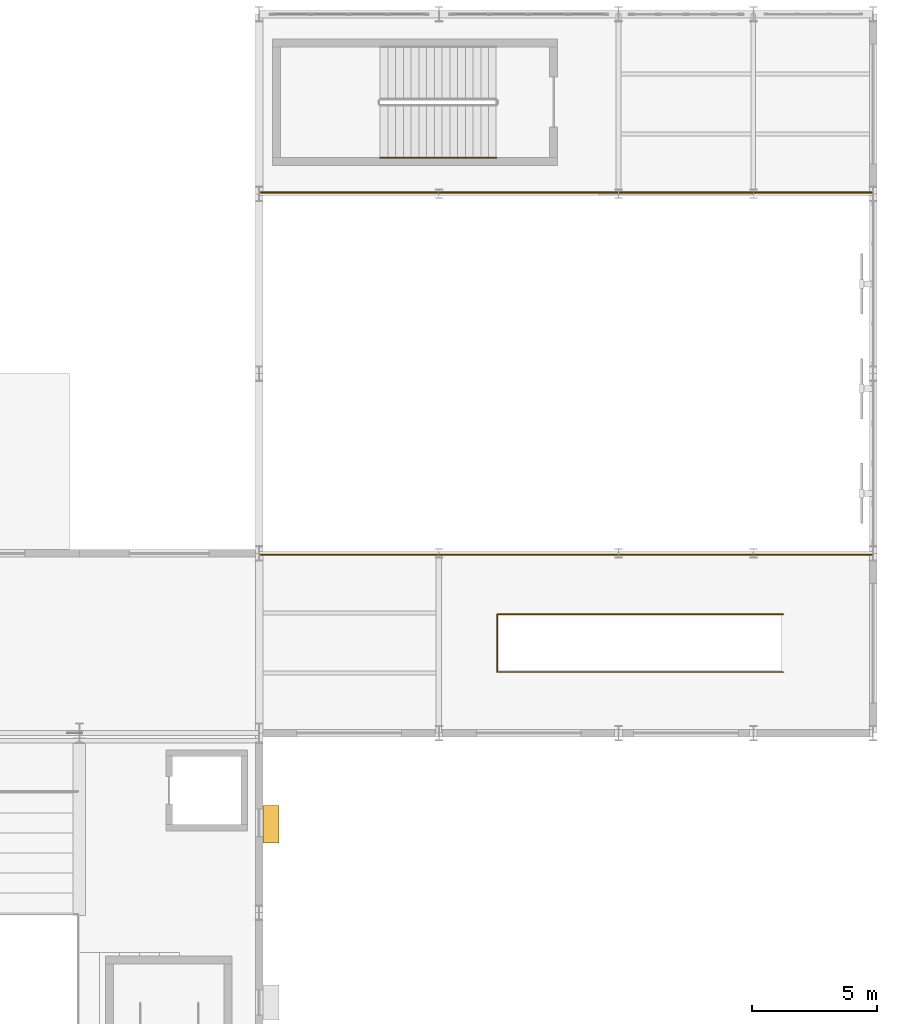
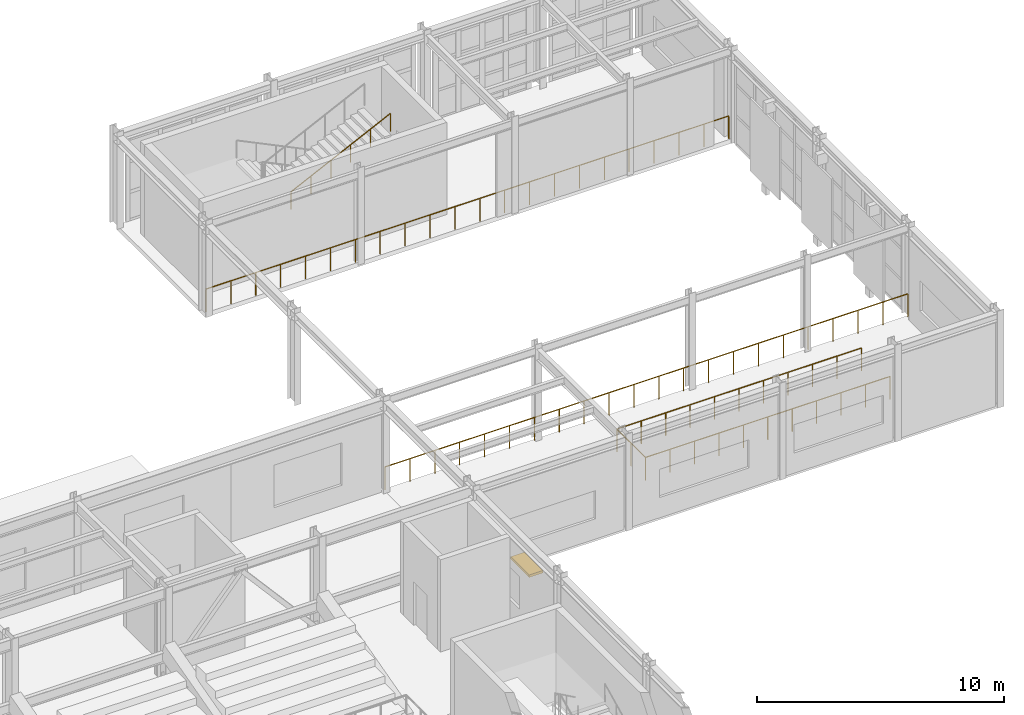
# One storey, part 120 of 121: 4 railings, 1 shading device.
"""IFC4 building model written with IfcOpenShell, lengths in metres."""

from ifc_helpers import new_model, si_unit, direction, frame, origin, origin_2d, place, context, subcontext, project, spatial, rectangle, circle, extrude, material, type_object, element, save


model = new_model("IFC4")

# Units and contexts
model_context = context("Model", 3, precision=1e-05, world=origin(), true_north=direction((0.0, 1.0)))
body_context = subcontext(model_context, "Body", "Model", "MODEL_VIEW")
ifc_project = project(units=[si_unit("LENGTHUNIT", "METRE"), si_unit("AREAUNIT", "SQUARE_METRE"), si_unit("VOLUMEUNIT", "CUBIC_METRE"), si_unit("PLANEANGLEUNIT", "RADIAN"), si_unit("MASSUNIT", "GRAM", prefix="KILO")], contexts=[model_context])

# Site, building, storey
site_placement = place(None, origin())
site = spatial("IfcSite", under=ifc_project, at=site_placement, CompositionType="ELEMENT")
building_placement = place(site_placement, origin())
building = spatial("IfcBuilding", under=site, at=building_placement, Name="Solvadek Multi-Sports Hall", CompositionType="ELEMENT")
storey_placement = place(building_placement, frame((0.0, 0.0, 4.800048828125)))
storey = spatial("IfcBuildingStorey", under=building, at=storey_placement, Name="L01", CompositionType="ELEMENT", Elevation=4.800048828125)

# Shading device
ifc_material_1 = material(Name="Perforated champagne-bronze anodised aluminium", Category="aluminium")
shading_device_type = type_object("IfcShadingDeviceType", Name="ENV-SHD-CHAJJA2", PredefinedType="JALOUSIE", material=ifc_material_1)
shading_device_placement = place(storey_placement, frame((137.26953125, 38.35009765625, 2.619873046875), z_axis=(0.0, 0.0, 1.0), x_axis=(0.0, 1.0, 0.0)))
element("IfcShadingDevice", 1, at=shading_device_placement, inside=storey, type_object=shading_device_type, Name="L01 Chajja Solar Shading Hood #63", PredefinedType="JALOUSIE", context=body_context, shape_type="SweptSolid", body=[
    extrude(rectangle(XDim=1.5, YDim=0.639892578125, at=origin_2d()), origin(), (0.0, 0.0, 1.0), 0.1201171875),
])

# Railings
ifc_material_2 = material(Name="Steel E250 (250 MPa)", Category="steel")
railing_type_1 = type_object("IfcRailingType", Name="INT-RAL-GRD115", PredefinedType="BALUSTRADE", material=ifc_material_2)
railing_1_placement = place(storey_placement, frame((157.800048828125, 44.43994140625, 0.0)))
element("IfcRailing", 2, at=railing_1_placement, inside=storey, type_object=railing_type_1, Name="L01 Void Edge Balustrade Guard #29", PredefinedType="BALUSTRADE", context=body_context, shape_type="SweptSolid", body=[
    extrude(circle(Radius=0.02392578125, at=origin_2d()), frame((0.0, 0.0, 1.1259765625), z_axis=(-1.0, 0.0, 0.0), x_axis=(0.0, -1.0, 0.0)), (0.0, 0.0, 1.0), 11.4599609375),
    extrude(circle(Radius=0.02392578125, at=origin_2d()), frame((-11.4599609375, 0.0, 1.1259765625), z_axis=(0.0, 1.0, 0.0), x_axis=(-1.0, 0.0, 0.0)), (0.0, 0.0, 1.0), 2.320068359375),
    extrude(circle(Radius=0.02392578125, at=origin_2d()), frame((-11.4599609375, 2.320068359375, 1.1259765625), z_axis=(1.0, 0.0, 0.0), x_axis=(0.0, 1.0, 0.0)), (0.0, 0.0, 1.0), 11.4599609375),
    extrude(circle(Radius=0.02099609375, at=origin_2d()), origin(), (0.0, 0.0, 1.0), 1.101806640625),
    extrude(circle(Radius=0.02099609375, at=origin_2d()), frame((-1.14599609375, 0.0, 0.0)), (0.0, 0.0, 1.0), 1.101806640625),
    extrude(circle(Radius=0.02099609375, at=origin_2d()), frame((-2.2919921875, 0.0, 0.0)), (0.0, 0.0, 1.0), 1.101806640625),
    extrude(circle(Radius=0.02099609375, at=origin_2d()), frame((-3.43798828125, 0.0, 0.0)), (0.0, 0.0, 1.0), 1.101806640625),
    extrude(circle(Radius=0.02099609375, at=origin_2d()), frame((-4.583984375, 0.0, 0.0)), (0.0, 0.0, 1.0), 1.101806640625),
    extrude(circle(Radius=0.02099609375, at=origin_2d()), frame((-5.72998046875, 0.0, 0.0)), (0.0, 0.0, 1.0), 1.101806640625),
    extrude(circle(Radius=0.02099609375, at=origin_2d()), frame((-6.8759765625, 0.0, 0.0)), (0.0, 0.0, 1.0), 1.101806640625),
    extrude(circle(Radius=0.02099609375, at=origin_2d()), frame((-8.02197265625, 0.0, 0.0)), (0.0, 0.0, 1.0), 1.101806640625),
    extrude(circle(Radius=0.02099609375, at=origin_2d()), frame((-9.16796875, 0.0, 0.0)), (0.0, 0.0, 1.0), 1.101806640625),
    extrude(circle(Radius=0.02099609375, at=origin_2d()), frame((-10.31396484375, 0.0, 0.0)), (0.0, 0.0, 1.0), 1.101806640625),
    extrude(circle(Radius=0.02099609375, at=origin_2d()), frame((-11.4599609375, 0.0, 0.0)), (0.0, 0.0, 1.0), 1.101806640625),
    extrude(circle(Radius=0.02099609375, at=origin_2d()), frame((-11.4599609375, 1.16015625, 0.0)), (0.0, 0.0, 1.0), 1.101806640625),
    extrude(circle(Radius=0.02099609375, at=origin_2d()), frame((-11.4599609375, 2.320068359375, 0.0)), (0.0, 0.0, 1.0), 1.101806640625),
    extrude(circle(Radius=0.02099609375, at=origin_2d()), frame((-10.31396484375, 2.320068359375, 0.0)), (0.0, 0.0, 1.0), 1.101806640625),
    extrude(circle(Radius=0.02099609375, at=origin_2d()), frame((-9.16796875, 2.320068359375, 0.0)), (0.0, 0.0, 1.0), 1.101806640625),
    extrude(circle(Radius=0.02099609375, at=origin_2d()), frame((-8.02197265625, 2.320068359375, 0.0)), (0.0, 0.0, 1.0), 1.101806640625),
    extrude(circle(Radius=0.02099609375, at=origin_2d()), frame((-6.8759765625, 2.320068359375, 0.0)), (0.0, 0.0, 1.0), 1.101806640625),
    extrude(circle(Radius=0.02099609375, at=origin_2d()), frame((-5.72998046875, 2.320068359375, 0.0)), (0.0, 0.0, 1.0), 1.101806640625),
    extrude(circle(Radius=0.02099609375, at=origin_2d()), frame((-4.583984375, 2.320068359375, 0.0)), (0.0, 0.0, 1.0), 1.101806640625),
    extrude(circle(Radius=0.02099609375, at=origin_2d()), frame((-3.43798828125, 2.320068359375, 0.0)), (0.0, 0.0, 1.0), 1.101806640625),
    extrude(circle(Radius=0.02099609375, at=origin_2d()), frame((-2.2919921875, 2.320068359375, 0.0)), (0.0, 0.0, 1.0), 1.101806640625),
    extrude(circle(Radius=0.02099609375, at=origin_2d()), frame((-1.14599609375, 2.320068359375, 0.0)), (0.0, 0.0, 1.0), 1.101806640625),
    extrude(circle(Radius=0.02099609375, at=origin_2d()), frame((0.0, 2.320068359375, 0.0)), (0.0, 0.0, 1.0), 1.101806640625),
])
railing_2_placement = place(storey_placement, frame((136.860107421875, 49.139892578125, 0.0)))
element("IfcRailing", 3, at=railing_2_placement, inside=storey, type_object=railing_type_1, Name="L01 Void Edge Balustrade Guard #54", PredefinedType="BALUSTRADE", context=body_context, shape_type="SweptSolid", body=[
    extrude(circle(Radius=0.02392578125, at=origin_2d()), frame((0.0, 0.0, 1.1259765625), z_axis=(1.0, 0.0, 0.0), x_axis=(0.0, 1.0, 0.0)), (0.0, 0.0, 1.0), 24.47998046875),
    extrude(circle(Radius=0.02099609375, at=origin_2d()), origin(), (0.0, 0.0, 1.0), 1.101806640625),
    extrude(circle(Radius=0.02099609375, at=origin_2d()), frame((1.165771484375, 0.0, 0.0)), (0.0, 0.0, 1.0), 1.101806640625),
    extrude(circle(Radius=0.02099609375, at=origin_2d()), frame((2.33154296875, 0.0, 0.0)), (0.0, 0.0, 1.0), 1.101806640625),
    extrude(circle(Radius=0.02099609375, at=origin_2d()), frame((3.4970703125, 0.0, 0.0)), (0.0, 0.0, 1.0), 1.101806640625),
    extrude(circle(Radius=0.02099609375, at=origin_2d()), frame((4.662841796875, 0.0, 0.0)), (0.0, 0.0, 1.0), 1.101806640625),
    extrude(circle(Radius=0.02099609375, at=origin_2d()), frame((5.82861328125, 0.0, 0.0)), (0.0, 0.0, 1.0), 1.101806640625),
    extrude(circle(Radius=0.02099609375, at=origin_2d()), frame((6.994384765625, 0.0, 0.0)), (0.0, 0.0, 1.0), 1.101806640625),
    extrude(circle(Radius=0.02099609375, at=origin_2d()), frame((8.159912109375, 0.0, 0.0)), (0.0, 0.0, 1.0), 1.101806640625),
    extrude(circle(Radius=0.02099609375, at=origin_2d()), frame((9.32568359375, 0.0, 0.0)), (0.0, 0.0, 1.0), 1.101806640625),
    extrude(circle(Radius=0.02099609375, at=origin_2d()), frame((10.491455078125, 0.0, 0.0)), (0.0, 0.0, 1.0), 1.101806640625),
    extrude(circle(Radius=0.02099609375, at=origin_2d()), frame((11.6572265625, 0.0, 0.0)), (0.0, 0.0, 1.0), 1.101806640625),
    extrude(circle(Radius=0.02099609375, at=origin_2d()), frame((12.82275390625, 0.0, 0.0)), (0.0, 0.0, 1.0), 1.101806640625),
    extrude(circle(Radius=0.02099609375, at=origin_2d()), frame((13.988525390625, 0.0, 0.0)), (0.0, 0.0, 1.0), 1.101806640625),
    extrude(circle(Radius=0.02099609375, at=origin_2d()), frame((15.154296875, 0.0, 0.0)), (0.0, 0.0, 1.0), 1.101806640625),
    extrude(circle(Radius=0.02099609375, at=origin_2d()), frame((16.320068359375, 0.0, 0.0)), (0.0, 0.0, 1.0), 1.101806640625),
    extrude(circle(Radius=0.02099609375, at=origin_2d()), frame((17.485595703125, 0.0, 0.0)), (0.0, 0.0, 1.0), 1.101806640625),
    extrude(circle(Radius=0.02099609375, at=origin_2d()), frame((18.6513671875, 0.0, 0.0)), (0.0, 0.0, 1.0), 1.101806640625),
    extrude(circle(Radius=0.02099609375, at=origin_2d()), frame((19.817138671875, 0.0, 0.0)), (0.0, 0.0, 1.0), 1.101806640625),
    extrude(circle(Radius=0.02099609375, at=origin_2d()), frame((20.98291015625, 0.0, 0.0)), (0.0, 0.0, 1.0), 1.101806640625),
    extrude(circle(Radius=0.02099609375, at=origin_2d()), frame((22.1484375, 0.0, 0.0)), (0.0, 0.0, 1.0), 1.101806640625),
    extrude(circle(Radius=0.02099609375, at=origin_2d()), frame((23.314208984375, 0.0, 0.0)), (0.0, 0.0, 1.0), 1.101806640625),
    extrude(circle(Radius=0.02099609375, at=origin_2d()), frame((24.47998046875, 0.0, 0.0)), (0.0, 0.0, 1.0), 1.101806640625),
])
railing_3_placement = place(storey_placement, frame((136.860107421875, 63.659912109375, 0.0)))
element("IfcRailing", 4, at=railing_3_placement, inside=storey, type_object=railing_type_1, Name="L01 Void Edge Balustrade Guard #55", PredefinedType="BALUSTRADE", context=body_context, shape_type="SweptSolid", body=[
    extrude(circle(Radius=0.02392578125, at=origin_2d()), frame((0.0, 0.0, 1.1259765625), z_axis=(1.0, 0.0, 0.0), x_axis=(0.0, 1.0, 0.0)), (0.0, 0.0, 1.0), 24.47998046875),
    extrude(circle(Radius=0.02099609375, at=origin_2d()), origin(), (0.0, 0.0, 1.0), 1.101806640625),
    extrude(circle(Radius=0.02099609375, at=origin_2d()), frame((1.165771484375, 0.0, 0.0)), (0.0, 0.0, 1.0), 1.101806640625),
    extrude(circle(Radius=0.02099609375, at=origin_2d()), frame((2.33154296875, 0.0, 0.0)), (0.0, 0.0, 1.0), 1.101806640625),
    extrude(circle(Radius=0.02099609375, at=origin_2d()), frame((3.4970703125, 0.0, 0.0)), (0.0, 0.0, 1.0), 1.101806640625),
    extrude(circle(Radius=0.02099609375, at=origin_2d()), frame((4.662841796875, 0.0, 0.0)), (0.0, 0.0, 1.0), 1.101806640625),
    extrude(circle(Radius=0.02099609375, at=origin_2d()), frame((5.82861328125, 0.0, 0.0)), (0.0, 0.0, 1.0), 1.101806640625),
    extrude(circle(Radius=0.02099609375, at=origin_2d()), frame((6.994384765625, 0.0, 0.0)), (0.0, 0.0, 1.0), 1.101806640625),
    extrude(circle(Radius=0.02099609375, at=origin_2d()), frame((8.159912109375, 0.0, 0.0)), (0.0, 0.0, 1.0), 1.101806640625),
    extrude(circle(Radius=0.02099609375, at=origin_2d()), frame((9.32568359375, 0.0, 0.0)), (0.0, 0.0, 1.0), 1.101806640625),
    extrude(circle(Radius=0.02099609375, at=origin_2d()), frame((10.491455078125, 0.0, 0.0)), (0.0, 0.0, 1.0), 1.101806640625),
    extrude(circle(Radius=0.02099609375, at=origin_2d()), frame((11.6572265625, 0.0, 0.0)), (0.0, 0.0, 1.0), 1.101806640625),
    extrude(circle(Radius=0.02099609375, at=origin_2d()), frame((12.82275390625, 0.0, 0.0)), (0.0, 0.0, 1.0), 1.101806640625),
    extrude(circle(Radius=0.02099609375, at=origin_2d()), frame((13.988525390625, 0.0, 0.0)), (0.0, 0.0, 1.0), 1.101806640625),
    extrude(circle(Radius=0.02099609375, at=origin_2d()), frame((15.154296875, 0.0, 0.0)), (0.0, 0.0, 1.0), 1.101806640625),
    extrude(circle(Radius=0.02099609375, at=origin_2d()), frame((16.320068359375, 0.0, 0.0)), (0.0, 0.0, 1.0), 1.101806640625),
    extrude(circle(Radius=0.02099609375, at=origin_2d()), frame((17.485595703125, 0.0, 0.0)), (0.0, 0.0, 1.0), 1.101806640625),
    extrude(circle(Radius=0.02099609375, at=origin_2d()), frame((18.6513671875, 0.0, 0.0)), (0.0, 0.0, 1.0), 1.101806640625),
    extrude(circle(Radius=0.02099609375, at=origin_2d()), frame((19.817138671875, 0.0, 0.0)), (0.0, 0.0, 1.0), 1.101806640625),
    extrude(circle(Radius=0.02099609375, at=origin_2d()), frame((20.98291015625, 0.0, 0.0)), (0.0, 0.0, 1.0), 1.101806640625),
    extrude(circle(Radius=0.02099609375, at=origin_2d()), frame((22.1484375, 0.0, 0.0)), (0.0, 0.0, 1.0), 1.101806640625),
    extrude(circle(Radius=0.02099609375, at=origin_2d()), frame((23.314208984375, 0.0, 0.0)), (0.0, 0.0, 1.0), 1.101806640625),
    extrude(circle(Radius=0.02099609375, at=origin_2d()), frame((24.47998046875, 0.0, 0.0)), (0.0, 0.0, 1.0), 1.101806640625),
])
railing_type_2 = type_object("IfcRailingType", Name="INT-RAL-HND090", PredefinedType="HANDRAIL", material=ifc_material_2)
railing_4_placement = place(storey_placement, frame((141.64990234375, 65.050048828125, 2.550048828125)))
element("IfcRailing", 5, at=railing_4_placement, inside=storey, type_object=railing_type_2, Name="L01 ST-06 stair handrail 2", PredefinedType="HANDRAIL", context=body_context, shape_type="SweptSolid", body=[
    extrude(circle(Radius=0.02392578125, at=origin_2d()), frame((0.0, 0.0, 0.8759765625), z_axis=(0.900164630878, 0.0, 0.435549810373), x_axis=(0.0, 1.0, 0.0)), (0.0, 0.0, 1.0), 5.165771484375),
    extrude(circle(Radius=0.02099609375, at=origin_2d()), origin(), (0.0, 0.0, 1.0), 0.851806640625),
    extrude(circle(Radius=0.02099609375, at=origin_2d()), frame((0.929931640625, 0.0, 0.449951171875)), (0.0, 0.0, 1.0), 0.851806640625),
    extrude(circle(Radius=0.02099609375, at=origin_2d()), frame((1.860107421875, 0.0, 0.89990234375)), (0.0, 0.0, 1.0), 0.851806640625),
    extrude(circle(Radius=0.02099609375, at=origin_2d()), frame((2.7900390625, 0.0, 1.35009765625)), (0.0, 0.0, 1.0), 0.851806640625),
    extrude(circle(Radius=0.02099609375, at=origin_2d()), frame((3.72021484375, 0.0, 1.800048828125)), (0.0, 0.0, 1.0), 0.851806640625),
    extrude(circle(Radius=0.02099609375, at=origin_2d()), frame((4.650146484375, 0.0, 2.25)), (0.0, 0.0, 1.0), 0.851806640625),
])

save(model, "model.ifc")
